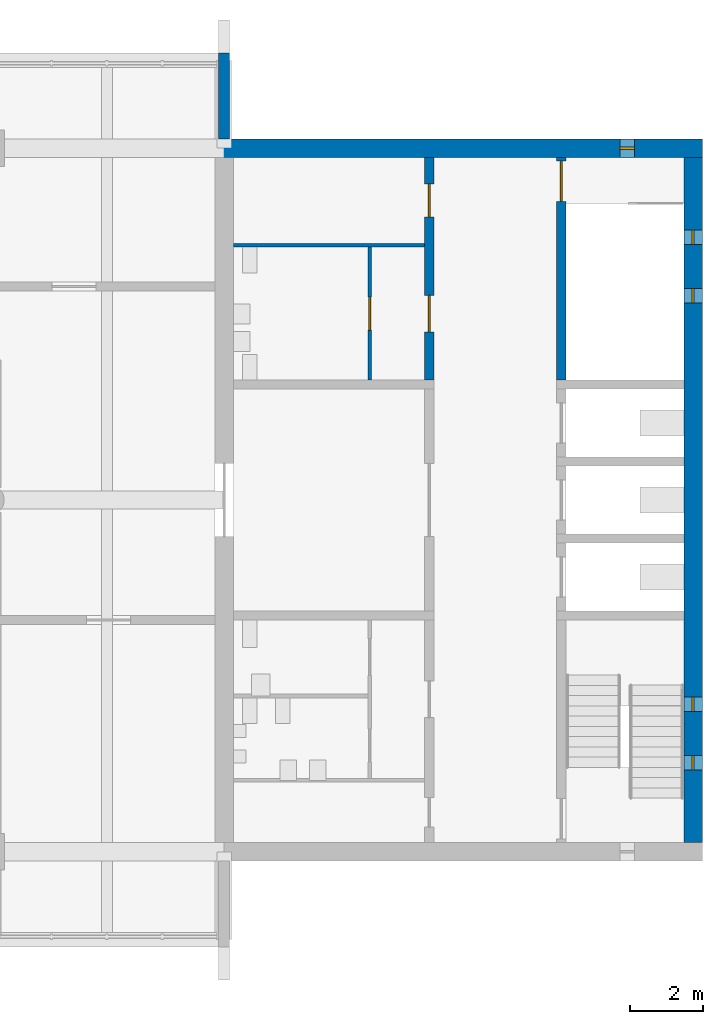
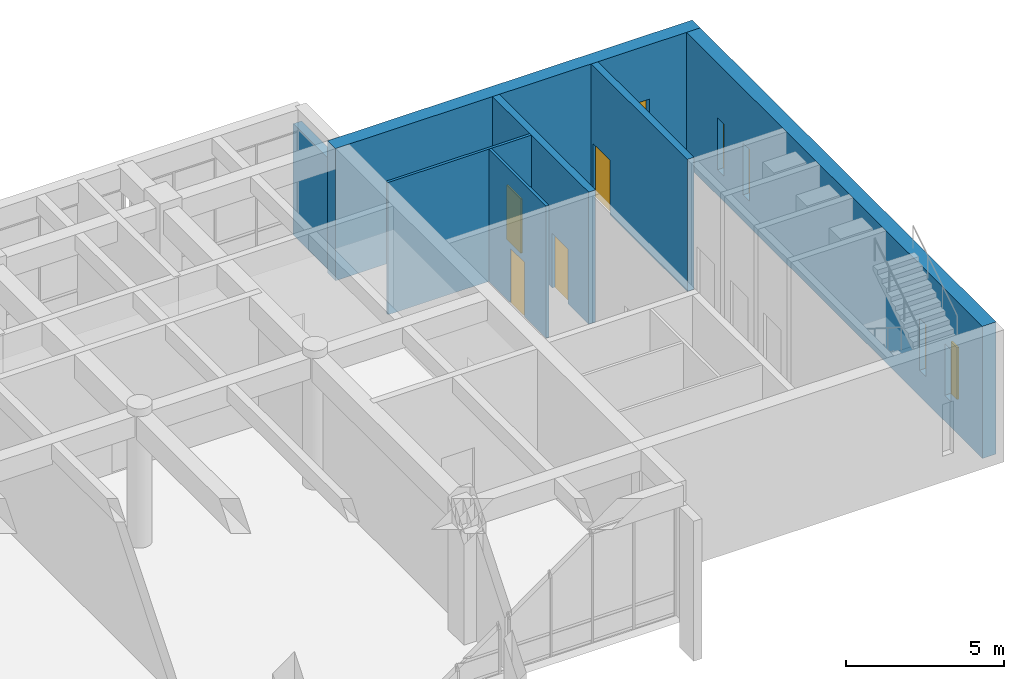
# One storey, part 6 of 10: 7 walls, 5 windows, 4 doors, 9 openings.
"""IFC4 building model written with IfcOpenShell, lengths in metres."""

from ifc_helpers import new_model, si_unit, direction, frame, frame_2d, origin, place, context, subcontext, project, spatial, rectangle, extrude, material, layer, layer_set, type_object, element, fill, save


model = new_model("IFC4")

# Units and contexts
model_context = context("Model", 3, precision=1e-05, world=origin(), true_north=direction((0.0, 1.0)))
body_context = subcontext(model_context, "Body", "Model", "MODEL_VIEW")
ifc_project = project(units=[si_unit("LENGTHUNIT", "METRE"), si_unit("AREAUNIT", "SQUARE_METRE"), si_unit("VOLUMEUNIT", "CUBIC_METRE"), si_unit("PLANEANGLEUNIT", "RADIAN"), si_unit("MASSUNIT", "GRAM", prefix="KILO")], contexts=[model_context])

# Site, building, storey
site_placement = place(None, origin())
site = spatial("IfcSite", under=ifc_project, at=site_placement, CompositionType="ELEMENT")
building_placement = place(site_placement, origin())
building = spatial("IfcBuilding", under=site, at=building_placement, Name="Fogon Plaza Fire Station and Headquarters Tower", CompositionType="ELEMENT")
storey_placement = place(building_placement, frame((0.0, 0.0, 64.199951171875)))
storey = spatial("IfcBuildingStorey", under=building, at=storey_placement, Name="L16", CompositionType="ELEMENT", Elevation=64.199951171875)

# Wall, opening, door
ifc_material_1 = material(Name="Concrete C40", Category="concrete")
ifc_layer_1 = layer(ifc_material_1, 0.25)
ifc_layer_set_1 = layer_set([ifc_layer_1], Name="Concrete C40")
wall_type_1 = type_object("IfcWallType", Name="Core Wall RC 250", PredefinedType="SOLIDWALL", material=ifc_layer_set_1)
wall_1_placement = place(storey_placement, frame((73.199951171875, 46.47509765625, 0.0), z_axis=(0.0, 0.0, 1.0), x_axis=(0.0, 1.0, 0.0)))
wall_1 = element("IfcWall", 1, at=wall_1_placement, inside=storey, type_object=wall_type_1, Name="Core B shaft wall", PredefinedType="SOLIDWALL", context=body_context, shape_type="SweptSolid", body=[
    extrude(rectangle(XDim=6.074951171875, YDim=0.25, at=frame_2d((3.03759765625, 0.0))), origin(), (0.0, 0.0, 1.0), 5.10009765625),
])
opening_1_placement = place(wall_1_placement, frame((4.875, 0.0, 0.0)))
opening_1 = element("IfcOpeningElement", 2, at=opening_1_placement, cuts=wall_1, Name="Opening L16-D18", PredefinedType="OPENING", context=body_context, shape_type="SweptSolid", body=[
    extrude(rectangle(XDim=1.10009765625, YDim=2.10009765625, at=frame_2d((0.550048828125, 1.050048828125))), frame((0.0, 0.135009765625, 0.0), z_axis=(0.0, -1.0, 0.0), x_axis=(1.0, 0.0, 0.0)), (0.0, 0.0, 1.0), 0.27001953125),
])
ifc_material_2 = material(Name="Steel Fire Door Leaf", Category="steel")
door_type_1 = type_object("IfcDoorType", Name="Stair Door Single 1100x2100", OperationType="SINGLE_SWING_LEFT", PredefinedType="DOOR", material=ifc_material_2)
door_1_placement = place(opening_1_placement, frame((1.10009765625, 0.0, 0.0), z_axis=(0.0, 0.0, 1.0), x_axis=(-1.0, 0.0, 0.0)))
door_1 = element("IfcDoor", 3, at=door_1_placement, inside=storey, type_object=door_type_1, Name="Stair door ST4", OperationType="SINGLE_SWING_LEFT", OverallHeight=2.10009765625, OverallWidth=1.10009765625, PredefinedType="DOOR", context=body_context, shape_type="SweptSolid", body=[
    extrude(rectangle(XDim=1.10009765625, YDim=2.10009765625, at=frame_2d((0.550048828125, 1.050048828125))), frame((0.0, 0.02490234375, 0.0), z_axis=(0.0, -1.0, 0.0), x_axis=(1.0, 0.0, 0.0)), (0.0, 0.0, 1.0), 0.050048828125),
])
fill(opening_1, door_1)

# Wall, openings, doors
wall_2_placement = place(storey_placement, frame((69.60009765625, 46.47509765625, 0.0), z_axis=(0.0, 0.0, 1.0), x_axis=(0.0, 1.0, 0.0)))
wall_2 = element("IfcWall", 4, at=wall_2_placement, inside=storey, type_object=wall_type_1, Name="Core B shaft wall", PredefinedType="SOLIDWALL", context=body_context, shape_type="SweptSolid", body=[
    extrude(rectangle(XDim=6.074951171875, YDim=0.25, at=frame_2d((3.03759765625, 0.0))), origin(), (0.0, 0.0, 1.0), 5.10009765625),
])
opening_2_placement = place(wall_2_placement, frame((1.3125, 0.0, 0.0)))
opening_2 = element("IfcOpeningElement", 5, at=opening_2_placement, cuts=wall_2, Name="Opening L16-D28", PredefinedType="OPENING", context=body_context, shape_type="SweptSolid", body=[
    extrude(rectangle(XDim=1.0, YDim=2.10009765625, at=frame_2d((0.5, 1.050048828125))), frame((0.0, 0.135009765625, 0.0), z_axis=(0.0, -1.0, 0.0), x_axis=(1.0, 0.0, 0.0)), (0.0, 0.0, 1.0), 0.27001953125),
])
opening_3_placement = place(wall_2_placement, frame((4.449951171875, 0.0, 0.0)))
opening_3 = element("IfcOpeningElement", 6, at=opening_3_placement, cuts=wall_2, Name="Opening L16-D30", PredefinedType="OPENING", context=body_context, shape_type="SweptSolid", body=[
    extrude(rectangle(XDim=0.89990234375, YDim=2.10009765625, at=frame_2d((0.449951171875, 1.050048828125))), frame((0.0, 0.135009765625, 0.0), z_axis=(0.0, -1.0, 0.0), x_axis=(1.0, 0.0, 0.0)), (0.0, 0.0, 1.0), 0.27001953125),
])
ifc_material_3 = material(Name="Steel Fire Door Leaf", Category="steel")
door_type_2 = type_object("IfcDoorType", Name="Riser Single 900x2100", OperationType="SINGLE_SWING_LEFT", PredefinedType="DOOR", material=ifc_material_3)
door_2_placement = place(opening_3_placement, origin())
door_2 = element("IfcDoor", 7, at=door_2_placement, inside=storey, type_object=door_type_2, Name="Riser room B door", OperationType="SINGLE_SWING_LEFT", OverallHeight=2.10009765625, OverallWidth=0.89990234375, PredefinedType="DOOR", context=body_context, shape_type="SweptSolid", body=[
    extrude(rectangle(XDim=0.89990234375, YDim=2.10009765625, at=frame_2d((0.449951171875, 1.050048828125))), frame((0.0, 0.02490234375, 0.0), z_axis=(0.0, -1.0, 0.0), x_axis=(1.0, 0.0, 0.0)), (0.0, 0.0, 1.0), 0.050048828125),
])
fill(opening_3, door_2)
ifc_material_4 = material(Name="Timber fire door", Category="wood")
door_type_3 = type_object("IfcDoorType", Name="WC Lobby Single 1000x2100", OperationType="SINGLE_SWING_LEFT", PredefinedType="DOOR", material=ifc_material_4)
door_3_placement = place(opening_2_placement, origin())
door_3 = element("IfcDoor", 8, at=door_3_placement, inside=storey, type_object=door_type_3, Name="Women's WC lobby B door", OperationType="SINGLE_SWING_LEFT", OverallHeight=2.10009765625, OverallWidth=1.0, PredefinedType="DOOR", context=body_context, shape_type="SweptSolid", body=[
    extrude(rectangle(XDim=1.0, YDim=2.10009765625, at=frame_2d((0.5, 1.050048828125))), frame((0.0, 0.02490234375, 0.0), z_axis=(0.0, -1.0, 0.0), x_axis=(1.0, 0.0, 0.0)), (0.0, 0.0, 1.0), 0.050048828125),
])
fill(opening_2, door_3)

# Wall
ifc_material_5 = material(Name="Concrete C40", Category="concrete")
ifc_layer_2 = layer(ifc_material_5, 0.300048828125)
ifc_layer_set_2 = layer_set([ifc_layer_2], Name="Concrete C40")
wall_type_2 = type_object("IfcWallType", Name="Fair-faced RC Return Panel 300", PredefinedType="SOLIDWALL", material=ifc_layer_set_2)
wall_3_placement = place(storey_placement, frame((64.0, 53.050048828125, 0.0), z_axis=(0.0, 0.0, 1.0), x_axis=(0.0, 1.0, 0.0)))
element("IfcWall", 9, at=wall_3_placement, inside=storey, type_object=wall_type_2, Name="Bar end return EN L16", PredefinedType="SOLIDWALL", context=body_context, shape_type="SweptSolid", body=[
    extrude(rectangle(XDim=2.349853515625, YDim=0.300048828125, at=frame_2d((1.1748046875, 0.0))), origin(), (0.0, 0.0, 1.0), 4.300048828125),
])

# Wall, opening, door
ifc_material_6 = material(Name="Blockwork", Category="masonry")
ifc_layer_3 = layer(ifc_material_6, 0.10009765625)
ifc_layer_set_3 = layer_set([ifc_layer_3], Name="Blockwork")
wall_type_3 = type_object("IfcWallType", Name="Partition Blockwork 100", PredefinedType="PARTITIONING", material=ifc_layer_set_3)
wall_4_placement = place(storey_placement, frame((67.97509765625, 46.47509765625, 0.0), z_axis=(0.0, 0.0, 1.0), x_axis=(0.0, 1.0, 0.0)))
wall_4 = element("IfcWall", 10, at=wall_4_placement, inside=storey, type_object=wall_type_3, Name="WC block partition", PredefinedType="PARTITIONING", context=body_context, shape_type="SweptSolid", body=[
    extrude(rectangle(XDim=3.625, YDim=0.10009765625, at=frame_2d((1.8125, 0.0))), origin(), (0.0, 0.0, 1.0), 5.10009765625),
])
opening_4_placement = place(wall_4_placement, frame((1.362548828125, 0.0, 0.0)))
opening_4 = element("IfcOpeningElement", 11, at=opening_4_placement, cuts=wall_4, Name="Opening L16-D29", PredefinedType="OPENING", context=body_context, shape_type="SweptSolid", body=[
    extrude(rectangle(XDim=0.89990234375, YDim=2.10009765625, at=frame_2d((0.449951171875, 1.050048828125))), frame((0.0, 0.06005859375, 0.0), z_axis=(0.0, -1.0, 0.0), x_axis=(1.0, 0.0, 0.0)), (0.0, 0.0, 1.0), 0.1201171875),
])
ifc_material_7 = material(Name="Timber Door Leaf", Category="wood")
door_type_4 = type_object("IfcDoorType", Name="WC Single 900x2100", OperationType="SINGLE_SWING_LEFT", PredefinedType="DOOR", material=ifc_material_7)
door_4_placement = place(opening_4_placement, origin())
door_4 = element("IfcDoor", 12, at=door_4_placement, inside=storey, type_object=door_type_4, Name="Women's WC B door", OperationType="SINGLE_SWING_RIGHT", OverallHeight=2.10009765625, OverallWidth=0.89990234375, PredefinedType="DOOR", context=body_context, shape_type="SweptSolid", body=[
    extrude(rectangle(XDim=0.89990234375, YDim=2.10009765625, at=frame_2d((0.449951171875, 1.050048828125))), frame((0.0, 0.02490234375, 0.0), z_axis=(0.0, -1.0, 0.0), x_axis=(1.0, 0.0, 0.0)), (0.0, 0.0, 1.0), 0.050048828125),
])
fill(opening_4, door_4)

# Wall
ifc_material_8 = material(Name="Blockwork", Category="masonry")
ifc_layer_4 = layer(ifc_material_8, 0.10009765625)
ifc_layer_set_4 = layer_set([ifc_layer_4], Name="Blockwork")
wall_type_4 = type_object("IfcWallType", Name="Riser Partition Blockwork 100", PredefinedType="PARTITIONING", material=ifc_layer_set_4)
wall_5_placement = place(storey_placement, frame((69.47509765625, 50.14990234375, 0.0), z_axis=(0.0, 0.0, 1.0), x_axis=(-1.0, 0.0, 0.0)))
element("IfcWall", 13, at=wall_5_placement, inside=storey, type_object=wall_type_4, Name="Riser room partition", PredefinedType="PARTITIONING", context=body_context, shape_type="SweptSolid", body=[
    extrude(rectangle(XDim=5.22509765625, YDim=0.10009765625, at=frame_2d((2.612548828125, 0.0))), origin(), (0.0, 0.0, 1.0), 5.10009765625),
])

# Wall, opening, window
ifc_material_9 = material(Name="Concrete C40", Category="concrete")
ifc_layer_5 = layer(ifc_material_9, 0.5)
ifc_layer_set_5 = layer_set([ifc_layer_5], Name="Concrete C40")
wall_type_5 = type_object("IfcWallType", Name="Shear wall 500 SW50", PredefinedType="SHEAR", material=ifc_layer_set_5)
wall_6_placement = place(storey_placement, frame((63.75, 52.800048828125, 0.0), z_axis=(0.0, 0.0, 1.0), x_axis=(1.0, 0.0, 0.0)))
wall_6 = element("IfcWall", 14, at=wall_6_placement, inside=storey, type_object=wall_type_5, Name="wall-coreB-N-L16", PredefinedType="SHEAR", context=body_context, shape_type="SweptSolid", body=[
    extrude(rectangle(XDim=13.300048828125, YDim=0.5, at=frame_2d((6.64990234375, 0.0))), origin(), (0.0, 0.0, 1.0), 5.10009765625),
])
opening_5_placement = place(wall_6_placement, frame((11.050048828125, 0.0, 1.0)))
opening_5 = element("IfcOpeningElement", 15, at=opening_5_placement, cuts=wall_6, Name="Opening WS1", PredefinedType="OPENING", context=body_context, shape_type="SweptSolid", body=[
    extrude(rectangle(XDim=0.39990234375, YDim=2.0, at=frame_2d((0.199951171875, 1.0))), frame((0.0, 0.260009765625, 0.0), z_axis=(0.0, -1.0, 0.0), x_axis=(1.0, 0.0, 0.0)), (0.0, 0.0, 1.0), 0.52001953125),
])
ifc_material_10 = material(Name="Aluminium framed double glazing", Category="aluminium")
window_type = type_object("IfcWindowType", Name="Slit Window WS1 400x2000", PartitioningType="SINGLE_PANEL", PredefinedType="WINDOW", material=ifc_material_10)
window_1_placement = place(opening_5_placement, origin())
window_1 = element("IfcWindow", 16, at=window_1_placement, inside=storey, type_object=window_type, Name="Slit window B6 L16", OverallHeight=2.0, OverallWidth=0.39990234375, PartitioningType="SINGLE_PANEL", PredefinedType="WINDOW", context=body_context, shape_type="SweptSolid", body=[
    extrude(rectangle(XDim=0.39990234375, YDim=2.0, at=frame_2d((0.199951171875, 1.0))), frame((0.0, 0.030029296875, 0.0), z_axis=(0.0, -1.0, 0.0), x_axis=(1.0, 0.0, 0.0)), (0.0, 0.0, 1.0), 0.06005859375),
])
fill(opening_5, window_1)

# Wall, openings, windows
wall_7_placement = place(storey_placement, frame((76.800048828125, 33.85009765625, 0.0), z_axis=(0.0, 0.0, 1.0), x_axis=(0.0, 1.0, 0.0)))
wall_7 = element("IfcWall", 17, at=wall_7_placement, inside=storey, type_object=wall_type_5, Name="wall-coreB-E-L16", PredefinedType="SHEAR", context=body_context, shape_type="SweptSolid", body=[
    extrude(rectangle(XDim=18.699951171875, YDim=0.5, at=frame_2d((9.35009765625, 0.0))), origin(), (0.0, 0.0, 1.0), 5.10009765625),
])
opening_6_placement = place(wall_7_placement, frame((1.97509765625, 0.0, 1.0)))
opening_6 = element("IfcOpeningElement", 18, at=opening_6_placement, cuts=wall_7, Name="Opening WS1", PredefinedType="OPENING", context=body_context, shape_type="SweptSolid", body=[
    extrude(rectangle(XDim=0.39990234375, YDim=2.0, at=frame_2d((0.199951171875, 1.0))), frame((0.0, 0.260009765625, 0.0), z_axis=(0.0, -1.0, 0.0), x_axis=(1.0, 0.0, 0.0)), (0.0, 0.0, 1.0), 0.52001953125),
])
opening_7_placement = place(wall_7_placement, frame((3.574951171875, 0.0, 1.0)))
opening_7 = element("IfcOpeningElement", 19, at=opening_7_placement, cuts=wall_7, Name="Opening WS1", PredefinedType="OPENING", context=body_context, shape_type="SweptSolid", body=[
    extrude(rectangle(XDim=0.39990234375, YDim=2.0, at=frame_2d((0.199951171875, 1.0))), frame((0.0, 0.260009765625, 0.0), z_axis=(0.0, -1.0, 0.0), x_axis=(1.0, 0.0, 0.0)), (0.0, 0.0, 1.0), 0.52001953125),
])
opening_8_placement = place(wall_7_placement, frame((14.72509765625, 0.0, 1.0)))
opening_8 = element("IfcOpeningElement", 20, at=opening_8_placement, cuts=wall_7, Name="Opening WS1", PredefinedType="OPENING", context=body_context, shape_type="SweptSolid", body=[
    extrude(rectangle(XDim=0.39990234375, YDim=2.0, at=frame_2d((0.199951171875, 1.0))), frame((0.0, 0.260009765625, 0.0), z_axis=(0.0, -1.0, 0.0), x_axis=(1.0, 0.0, 0.0)), (0.0, 0.0, 1.0), 0.52001953125),
])
opening_9_placement = place(wall_7_placement, frame((16.324951171875, 0.0, 1.0)))
opening_9 = element("IfcOpeningElement", 21, at=opening_9_placement, cuts=wall_7, Name="Opening WS1", PredefinedType="OPENING", context=body_context, shape_type="SweptSolid", body=[
    extrude(rectangle(XDim=0.39990234375, YDim=2.0, at=frame_2d((0.199951171875, 1.0))), frame((0.0, 0.260009765625, 0.0), z_axis=(0.0, -1.0, 0.0), x_axis=(1.0, 0.0, 0.0)), (0.0, 0.0, 1.0), 0.52001953125),
])
window_2_placement = place(opening_6_placement, origin())
window_2 = element("IfcWindow", 22, at=window_2_placement, inside=storey, type_object=window_type, Name="Slit window B1 L16", OverallHeight=2.0, OverallWidth=0.39990234375, PartitioningType="SINGLE_PANEL", PredefinedType="WINDOW", context=body_context, shape_type="SweptSolid", body=[
    extrude(rectangle(XDim=0.39990234375, YDim=2.0, at=frame_2d((0.199951171875, 1.0))), frame((0.0, 0.030029296875, 0.0), z_axis=(0.0, -1.0, 0.0), x_axis=(1.0, 0.0, 0.0)), (0.0, 0.0, 1.0), 0.06005859375),
])
fill(opening_6, window_2)
window_3_placement = place(opening_7_placement, origin())
window_3 = element("IfcWindow", 23, at=window_3_placement, inside=storey, type_object=window_type, Name="Slit window B2 L16", OverallHeight=2.0, OverallWidth=0.39990234375, PartitioningType="SINGLE_PANEL", PredefinedType="WINDOW", context=body_context, shape_type="SweptSolid", body=[
    extrude(rectangle(XDim=0.39990234375, YDim=2.0, at=frame_2d((0.199951171875, 1.0))), frame((0.0, 0.030029296875, 0.0), z_axis=(0.0, -1.0, 0.0), x_axis=(1.0, 0.0, 0.0)), (0.0, 0.0, 1.0), 0.06005859375),
])
fill(opening_7, window_3)
window_4_placement = place(opening_8_placement, origin())
window_4 = element("IfcWindow", 24, at=window_4_placement, inside=storey, type_object=window_type, Name="Slit window B3 L16", OverallHeight=2.0, OverallWidth=0.39990234375, PartitioningType="SINGLE_PANEL", PredefinedType="WINDOW", context=body_context, shape_type="SweptSolid", body=[
    extrude(rectangle(XDim=0.39990234375, YDim=2.0, at=frame_2d((0.199951171875, 1.0))), frame((0.0, 0.030029296875, 0.0), z_axis=(0.0, -1.0, 0.0), x_axis=(1.0, 0.0, 0.0)), (0.0, 0.0, 1.0), 0.06005859375),
])
fill(opening_8, window_4)
window_5_placement = place(opening_9_placement, origin())
window_5 = element("IfcWindow", 25, at=window_5_placement, inside=storey, type_object=window_type, Name="Slit window B4 L16", OverallHeight=2.0, OverallWidth=0.39990234375, PartitioningType="SINGLE_PANEL", PredefinedType="WINDOW", context=body_context, shape_type="SweptSolid", body=[
    extrude(rectangle(XDim=0.39990234375, YDim=2.0, at=frame_2d((0.199951171875, 1.0))), frame((0.0, 0.030029296875, 0.0), z_axis=(0.0, -1.0, 0.0), x_axis=(1.0, 0.0, 0.0)), (0.0, 0.0, 1.0), 0.06005859375),
])
fill(opening_9, window_5)

save(model, "model.ifc")
